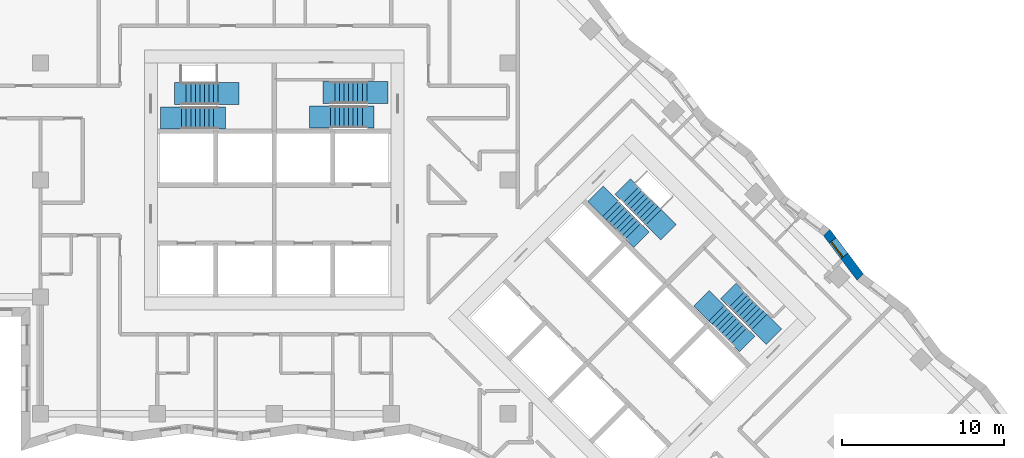
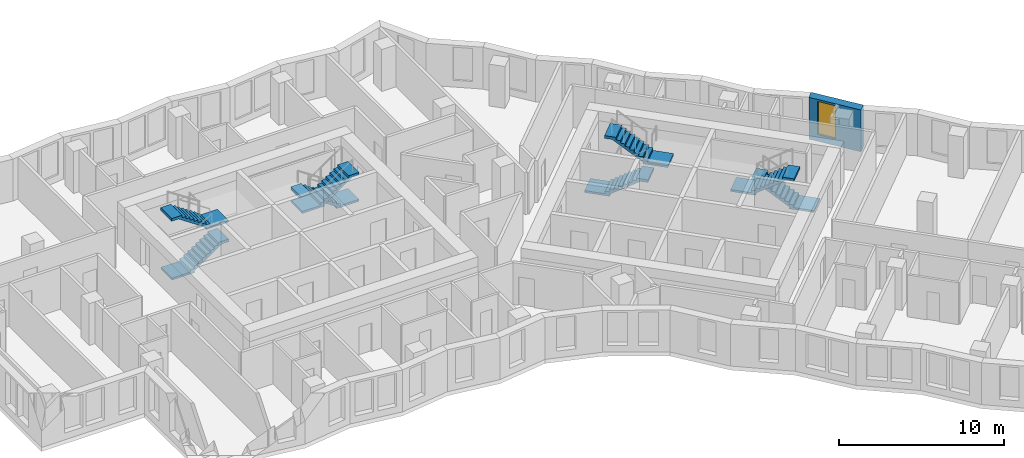
# One storey, part 11 of 13: 8 stair flights, 1 wall, 1 window, 1 opening, 4 elements without a shape of their own.
"""IFC4 building model written with IfcOpenShell, lengths in metres."""

from ifc_helpers import new_model, si_unit, direction, frame, frame_2d, origin, place, context, subcontext, project, spatial, polyline, rectangle, outline, extrude, material, layer, layer_set, type_object, element, fill, aggregate, save


model = new_model("IFC4")

# Units and contexts
model_context = context("Model", 3, precision=1e-05, world=origin(), true_north=direction((0.0, 1.0)))
body_context = subcontext(model_context, "Body", "Model", "MODEL_VIEW")
ifc_project = project(units=[si_unit("LENGTHUNIT", "METRE"), si_unit("AREAUNIT", "SQUARE_METRE"), si_unit("VOLUMEUNIT", "CUBIC_METRE"), si_unit("PLANEANGLEUNIT", "RADIAN"), si_unit("MASSUNIT", "GRAM", prefix="KILO")], contexts=[model_context])

# Site, building, storey
site_placement = place(None, origin())
site = spatial("IfcSite", under=ifc_project, at=site_placement, CompositionType="ELEMENT")
building_placement = place(site_placement, origin())
building = spatial("IfcBuilding", under=site, at=building_placement, Name="Windrow Commons", CompositionType="ELEMENT")
storey_placement = place(building_placement, frame((0.0, 0.0, 101.6)))
storey = spatial("IfcBuildingStorey", under=building, at=storey_placement, Name="L27", CompositionType="ELEMENT", Elevation=101.6)

# Wall, opening, window
ifc_material_1 = material(Name="Brick masonry, red clay brick", Category="masonry")
ifc_layer = layer(ifc_material_1, 0.55)
ifc_layer_set = layer_set([ifc_layer], Name="Brick facade wall 550")
wall_type = type_object("IfcWallType", Name="Brick facade wall 550", PredefinedType="SOLIDWALL", material=ifc_layer_set)
wall_placement = place(storey_placement, frame((100.8872, 51.617, 0.0), z_axis=(0.0, 0.0, 1.0), x_axis=(-0.6011839411, 0.7991106738, 0.0)))
wall = element("IfcWall", 1, at=wall_placement, inside=storey, type_object=wall_type, Name="Brick facade wall L27 12", PredefinedType="SOLIDWALL", context=body_context, shape_type="SweptSolid", body=[
    extrude(outline(polyline([(0.0389, -0.275), (3.4831, -0.275), (3.4054, 0.275), (-0.0389, 0.275), (0.0389, -0.275)])), origin(), (0.0, 0.0, 1.0), 3.1),
])
opening_placement = place(wall_placement, frame((1.6315, 0.0, 0.5)))
opening = element("IfcOpeningElement", 2, at=opening_placement, cuts=wall, Name="Opening W7D", PredefinedType="OPENING", context=body_context, shape_type="SweptSolid", body=[
    extrude(rectangle(XDim=1.2, YDim=2.45, at=frame_2d((0.6, 1.225))), frame((0.0, 0.285, 0.0), z_axis=(0.0, -1.0, 0.0), x_axis=(1.0, 0.0, 0.0)), (0.0, 0.0, 1.0), 0.57),
])
ifc_material_2 = material(Name="Clear float glass in anodised aluminium frame", Category="aluminium")
window_type = type_object("IfcWindowType", Name="Window W7 notch 1200x2450", PartitioningType="SINGLE_PANEL", PredefinedType="WINDOW", material=ifc_material_2)
window_placement = place(opening_placement, origin())
window = element("IfcWindow", 3, at=window_placement, inside=storey, type_object=window_type, Name="Window L27 12.1", OverallHeight=2.45, OverallWidth=1.2, PartitioningType="SINGLE_PANEL", PredefinedType="WINDOW", context=body_context, shape_type="SweptSolid", body=[
    extrude(rectangle(XDim=1.2, YDim=2.45, at=frame_2d((0.6, 1.225))), frame((0.0, 0.155, 0.0), z_axis=(0.0, -1.0, 0.0), x_axis=(1.0, 0.0, 0.0)), (0.0, 0.0, 1.0), 0.06),
])
fill(opening, window)

# Stair, stair flights
ifc_material_3 = material(Name="Concrete C40/50", Category="concrete")
stair_type = type_object("IfcStairType", Name="Core stair", PredefinedType="HALF_TURN_STAIR", material=ifc_material_3)
placement = place(storey_placement, origin())
stair_1 = element("IfcStair", 4, at=placement, inside=storey, type_object=stair_type, Name="L27 Exit stair A1 core A", PredefinedType="HALF_TURN_STAIR")
ifc_material_4 = material(Name="Concrete C40/50", Category="concrete")
stair_flight_type = type_object("IfcStairFlightType", Name="Core stair flight", PredefinedType="STRAIGHT", material=ifc_material_4)
stair_flight_1_placement = place(storey_placement, frame((59.1, 61.425, 0.0), z_axis=(0.0, 0.0, 1.0), x_axis=(1.0, 0.0, 0.0)))
stair_flight_1 = element("IfcStairFlight", 5, at=stair_flight_1_placement, type_object=stair_flight_type, Name="ST-A1 flight 1", NumberOfRisers=9, NumberOfTreads=8, PredefinedType="STRAIGHT", RiserHeight=0.188888889, TreadLength=0.28, context=body_context, shape_type="SweptSolid", body=[
    extrude(outline(polyline([(-1.3, -0.15), (-1.3, 0.0), (0.0, 0.0), (0.0, 0.1889), (0.28, 0.1889), (0.28, 0.3778), (0.56, 0.3778), (0.56, 0.5667), (0.84, 0.5667), (0.84, 0.7556), (1.12, 0.7556), (1.12, 0.9444), (1.4, 0.9444), (1.4, 1.1333), (1.68, 1.1333), (1.68, 1.3222), (1.96, 1.3222), (1.96, 1.5111), (2.24, 1.5111), (2.69, 1.5111), (2.69, 1.3111), (2.24, 1.3111), (2.24, 1.3302), (0.2682, 0.0), (0.2682, -0.15), (-1.3, -0.15)])), frame((0.0, 0.675, 0.0), z_axis=(0.0, -1.0, 0.0), x_axis=(1.0, 0.0, 0.0)), (0.0, 0.0, 1.0), 1.35),
])
stair_flight_2_placement = place(storey_placement, frame((61.34, 62.925, 1.7), z_axis=(0.0, 0.0, 1.0), x_axis=(-1.0, 0.0, 0.0)))
stair_flight_2 = element("IfcStairFlight", 6, at=stair_flight_2_placement, type_object=stair_flight_type, Name="ST-A1 flight 2", NumberOfRisers=9, NumberOfTreads=8, PredefinedType="STRAIGHT", RiserHeight=0.188888889, TreadLength=0.28, context=body_context, shape_type="SweptSolid", body=[
    extrude(outline(polyline([(-1.3, -0.15), (-1.3, 0.0), (0.0, 0.0), (0.0, 0.1889), (0.28, 0.1889), (0.28, 0.3778), (0.56, 0.3778), (0.56, 0.5667), (0.84, 0.5667), (0.84, 0.7556), (1.12, 0.7556), (1.12, 0.9444), (1.4, 0.9444), (1.4, 1.1333), (1.68, 1.1333), (1.68, 1.3222), (1.96, 1.3222), (1.96, 1.5111), (2.24, 1.5111), (2.69, 1.5111), (2.69, 1.3111), (2.24, 1.3111), (2.24, 1.3302), (0.2682, 0.0), (0.2682, -0.15), (-1.3, -0.15)])), frame((0.0, 0.675, 0.0), z_axis=(0.0, -1.0, 0.0), x_axis=(1.0, 0.0, 0.0)), (0.0, 0.0, 1.0), 1.35),
])
aggregate(stair_1, [stair_flight_1, stair_flight_2])

stair_2 = element("IfcStair", 7, at=placement, inside=storey, type_object=stair_type, Name="L27 Exit stair A2 core A", PredefinedType="HALF_TURN_STAIR")
stair_flight_3_placement = place(storey_placement, frame((70.5, 62.98, 0.0), z_axis=(0.0, 0.0, 1.0), x_axis=(-1.0, 0.0, 0.0)))
stair_flight_3 = element("IfcStairFlight", 8, at=stair_flight_3_placement, type_object=stair_flight_type, Name="ST-A2 flight 1", NumberOfRisers=9, NumberOfTreads=8, PredefinedType="STRAIGHT", RiserHeight=0.188888889, TreadLength=0.28, context=body_context, shape_type="SweptSolid", body=[
    extrude(outline(polyline([(-1.3, -0.15), (-1.3, 0.0), (0.0, 0.0), (0.0, 0.1889), (0.28, 0.1889), (0.28, 0.3778), (0.56, 0.3778), (0.56, 0.5667), (0.84, 0.5667), (0.84, 0.7556), (1.12, 0.7556), (1.12, 0.9444), (1.4, 0.9444), (1.4, 1.1333), (1.68, 1.1333), (1.68, 1.3222), (1.96, 1.3222), (1.96, 1.5111), (2.24, 1.5111), (2.69, 1.5111), (2.69, 1.3111), (2.24, 1.3111), (2.24, 1.3302), (0.2682, 0.0), (0.2682, -0.15), (-1.3, -0.15)])), frame((0.0, 0.675, 0.0), z_axis=(0.0, -1.0, 0.0), x_axis=(1.0, 0.0, 0.0)), (0.0, 0.0, 1.0), 1.35),
])
stair_flight_4_placement = place(storey_placement, frame((68.26, 61.48, 1.7), z_axis=(0.0, 0.0, 1.0), x_axis=(1.0, 0.0, 0.0)))
stair_flight_4 = element("IfcStairFlight", 9, at=stair_flight_4_placement, type_object=stair_flight_type, Name="ST-A2 flight 2", NumberOfRisers=9, NumberOfTreads=8, PredefinedType="STRAIGHT", RiserHeight=0.188888889, TreadLength=0.28, context=body_context, shape_type="SweptSolid", body=[
    extrude(outline(polyline([(-1.3, -0.15), (-1.3, 0.0), (0.0, 0.0), (0.0, 0.1889), (0.28, 0.1889), (0.28, 0.3778), (0.56, 0.3778), (0.56, 0.5667), (0.84, 0.5667), (0.84, 0.7556), (1.12, 0.7556), (1.12, 0.9444), (1.4, 0.9444), (1.4, 1.1333), (1.68, 1.1333), (1.68, 1.3222), (1.96, 1.3222), (1.96, 1.5111), (2.24, 1.5111), (2.69, 1.5111), (2.69, 1.3111), (2.24, 1.3111), (2.24, 1.3302), (0.2682, 0.0), (0.2682, -0.15), (-1.3, -0.15)])), frame((0.0, 0.675, 0.0), z_axis=(0.0, -1.0, 0.0), x_axis=(1.0, 0.0, 0.0)), (0.0, 0.0, 1.0), 1.35),
])
aggregate(stair_2, [stair_flight_3, stair_flight_4])

stair_3 = element("IfcStair", 10, at=placement, inside=storey, type_object=stair_type, Name="L27 Exit stair B1 core B", PredefinedType="HALF_TURN_STAIR")
stair_flight_5_placement = place(storey_placement, frame((85.5109, 55.8249, 0.0), z_axis=(0.0, 0.0, 1.0), x_axis=(0.7071067812, -0.7071067812, 0.0)))
stair_flight_5 = element("IfcStairFlight", 11, at=stair_flight_5_placement, type_object=stair_flight_type, Name="ST-B1 flight 1", NumberOfRisers=9, NumberOfTreads=8, PredefinedType="STRAIGHT", RiserHeight=0.188888889, TreadLength=0.28, context=body_context, shape_type="SweptSolid", body=[
    extrude(outline(polyline([(-1.3, -0.15), (-1.3, 0.0), (0.0, 0.0), (0.0, 0.1889), (0.28, 0.1889), (0.28, 0.3778), (0.56, 0.3778), (0.56, 0.5667), (0.84, 0.5667), (0.84, 0.7556), (1.12, 0.7556), (1.12, 0.9444), (1.4, 0.9444), (1.4, 1.1333), (1.68, 1.1333), (1.68, 1.3222), (1.96, 1.3222), (1.96, 1.5111), (2.24, 1.5111), (2.69, 1.5111), (2.69, 1.3111), (2.24, 1.3111), (2.24, 1.3302), (0.2682, 0.0), (0.2682, -0.15), (-1.3, -0.15)])), frame((0.0, 0.675, 0.0), z_axis=(0.0, -1.0, 0.0), x_axis=(1.0, 0.0, 0.0)), (0.0, 0.0, 1.0), 1.35),
])
stair_flight_6_placement = place(storey_placement, frame((88.1555, 55.3017, 1.7), z_axis=(0.0, 0.0, 1.0), x_axis=(-0.7071067812, 0.7071067812, 0.0)))
stair_flight_6 = element("IfcStairFlight", 12, at=stair_flight_6_placement, type_object=stair_flight_type, Name="ST-B1 flight 2", NumberOfRisers=9, NumberOfTreads=8, PredefinedType="STRAIGHT", RiserHeight=0.188888889, TreadLength=0.28, context=body_context, shape_type="SweptSolid", body=[
    extrude(outline(polyline([(-1.3, -0.15), (-1.3, 0.0), (0.0, 0.0), (0.0, 0.1889), (0.28, 0.1889), (0.28, 0.3778), (0.56, 0.3778), (0.56, 0.5667), (0.84, 0.5667), (0.84, 0.7556), (1.12, 0.7556), (1.12, 0.9444), (1.4, 0.9444), (1.4, 1.1333), (1.68, 1.1333), (1.68, 1.3222), (1.96, 1.3222), (1.96, 1.5111), (2.24, 1.5111), (2.69, 1.5111), (2.69, 1.3111), (2.24, 1.3111), (2.24, 1.3302), (0.2682, 0.0), (0.2682, -0.15), (-1.3, -0.15)])), frame((0.0, 0.675, 0.0), z_axis=(0.0, -1.0, 0.0), x_axis=(1.0, 0.0, 0.0)), (0.0, 0.0, 1.0), 1.35),
])
aggregate(stair_3, [stair_flight_5, stair_flight_6])

stair_4 = element("IfcStair", 13, at=placement, inside=storey, type_object=stair_type, Name="L27 Exit stair B2 core B", PredefinedType="HALF_TURN_STAIR")
stair_flight_7_placement = place(storey_placement, frame((94.6715, 48.8635, 0.0), z_axis=(0.0, 0.0, 1.0), x_axis=(-0.7071067812, 0.7071067812, 0.0)))
stair_flight_7 = element("IfcStairFlight", 14, at=stair_flight_7_placement, type_object=stair_flight_type, Name="ST-B2 flight 1", NumberOfRisers=9, NumberOfTreads=8, PredefinedType="STRAIGHT", RiserHeight=0.188888889, TreadLength=0.28, context=body_context, shape_type="SweptSolid", body=[
    extrude(outline(polyline([(-1.3, -0.15), (-1.3, 0.0), (0.0, 0.0), (0.0, 0.1889), (0.28, 0.1889), (0.28, 0.3778), (0.56, 0.3778), (0.56, 0.5667), (0.84, 0.5667), (0.84, 0.7556), (1.12, 0.7556), (1.12, 0.9444), (1.4, 0.9444), (1.4, 1.1333), (1.68, 1.1333), (1.68, 1.3222), (1.96, 1.3222), (1.96, 1.5111), (2.24, 1.5111), (2.69, 1.5111), (2.69, 1.3111), (2.24, 1.3111), (2.24, 1.3302), (0.2682, 0.0), (0.2682, -0.15), (-1.3, -0.15)])), frame((0.0, 0.675, 0.0), z_axis=(0.0, -1.0, 0.0), x_axis=(1.0, 0.0, 0.0)), (0.0, 0.0, 1.0), 1.35),
])
stair_flight_8_placement = place(storey_placement, frame((92.0269, 49.3867, 1.7), z_axis=(0.0, 0.0, 1.0), x_axis=(0.7071067812, -0.7071067812, 0.0)))
stair_flight_8 = element("IfcStairFlight", 15, at=stair_flight_8_placement, type_object=stair_flight_type, Name="ST-B2 flight 2", NumberOfRisers=9, NumberOfTreads=8, PredefinedType="STRAIGHT", RiserHeight=0.188888889, TreadLength=0.28, context=body_context, shape_type="SweptSolid", body=[
    extrude(outline(polyline([(-1.3, -0.15), (-1.3, 0.0), (0.0, 0.0), (0.0, 0.1889), (0.28, 0.1889), (0.28, 0.3778), (0.56, 0.3778), (0.56, 0.5667), (0.84, 0.5667), (0.84, 0.7556), (1.12, 0.7556), (1.12, 0.9444), (1.4, 0.9444), (1.4, 1.1333), (1.68, 1.1333), (1.68, 1.3222), (1.96, 1.3222), (1.96, 1.5111), (2.24, 1.5111), (2.69, 1.5111), (2.69, 1.3111), (2.24, 1.3111), (2.24, 1.3302), (0.2682, 0.0), (0.2682, -0.15), (-1.3, -0.15)])), frame((0.0, 0.675, 0.0), z_axis=(0.0, -1.0, 0.0), x_axis=(1.0, 0.0, 0.0)), (0.0, 0.0, 1.0), 1.35),
])
aggregate(stair_4, [stair_flight_7, stair_flight_8])

save(model, "model.ifc")
